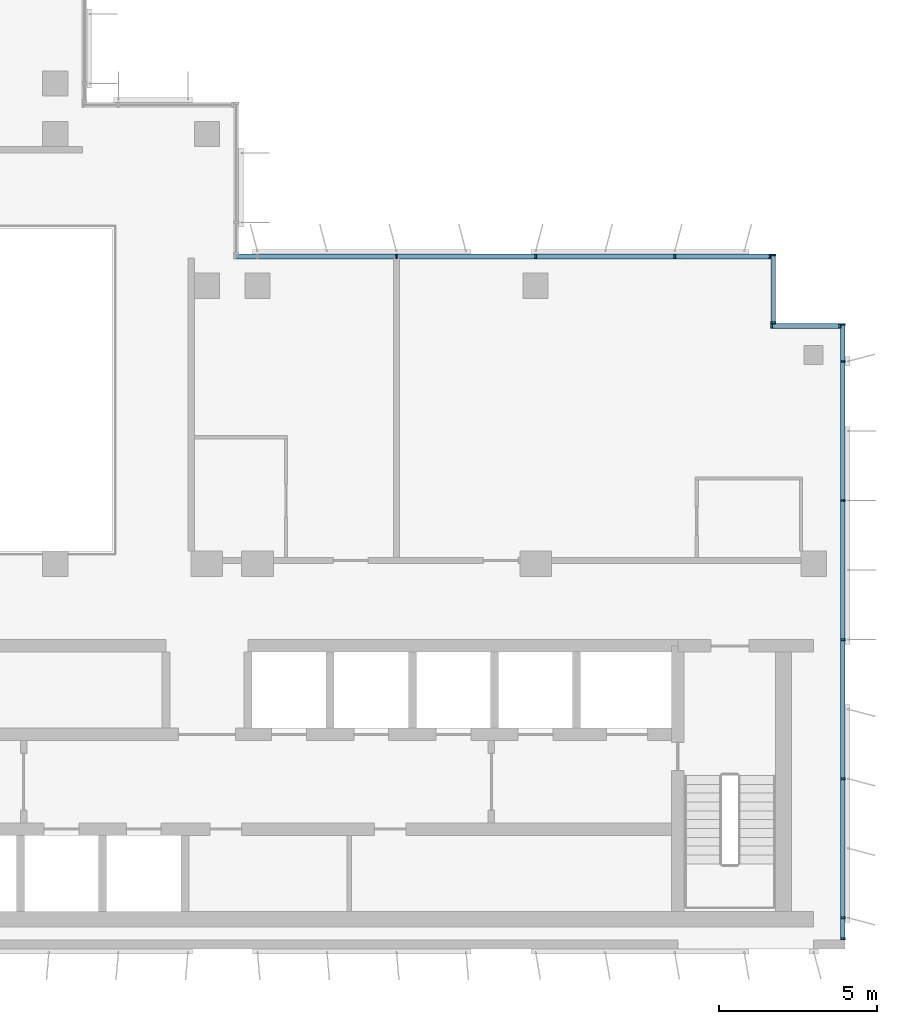
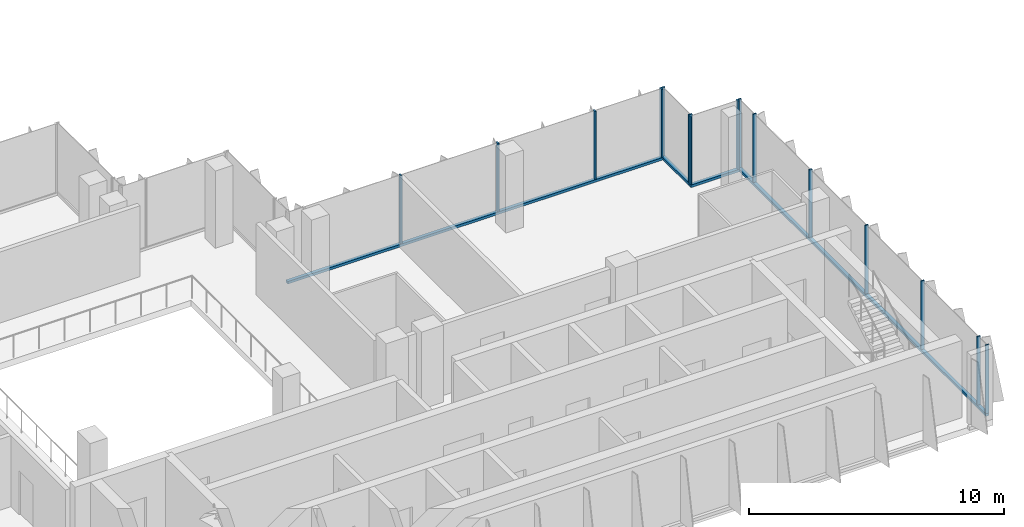
# One storey, part 3 of 14: 19 members, 4 elements without a shape of their own.
"""IFC4 building model written with IfcOpenShell, lengths in metres."""

import ifcopenshell
import ifcopenshell.guid

model = None  # the IFC model being written
_history = None  # IfcOwnerHistory: only IFC2X3 demands one
_inside = {}  # id of a spatial element -> (the spatial element, [elements in it])
_under = {}  # id of a project, library or spatial element -> (it, [spatial elements below it])
_declared = {}  # id of a project -> (the project, [libraries it declares])
_typed = {}  # id of a type object -> (the type object, [elements of that type])
_made_of = {}  # id of a material, layer set ... -> (it, [elements and type objects made of it])


def new_model(schema):
    """Start an empty IFC model of exactly this schema.

    Asked for "IFC4X3", IfcOpenShell would pick the latest addendum, in which some entities
    have other attributes; the version numbers below select the first issue.
    IFC2X3 requires an IfcOwnerHistory on every rooted entity: one is made here for all.
    """
    global model, _history
    if schema == "IFC4X3":
        model = ifcopenshell.file(schema_version=(4, 3, 0, 0))
    else:
        model = ifcopenshell.file(schema=schema)
    _inside.clear()
    _under.clear()
    _declared.clear()
    _typed.clear()
    _made_of.clear()
    _history = None
    if model.schema == "IFC2X3":
        org = make("IfcOrganization", Name="unknown")
        user = make(
            "IfcPersonAndOrganization",
            ThePerson=make("IfcPerson", FamilyName="unknown"),
            TheOrganization=org,
        )
        app = make(
            "IfcApplication",
            ApplicationDeveloper=org,
            Version="unknown",
            ApplicationFullName="unknown",
            ApplicationIdentifier="unknown",
        )
        _history = make(
            "IfcOwnerHistory",
            OwningUser=user,
            OwningApplication=app,
            ChangeAction="ADDED",
            CreationDate=0,
        )
    return model


def make(cls, **values):
    """One entity of the class cls with the attributes given. An attribute that is None is left unset."""
    return model.create_entity(
        cls, **{name: value for name, value in values.items() if value is not None}
    )


def rooted(cls, **values):
    """An entity with a GlobalId (a new one), such as an element, a storey or a relation."""
    return make(cls, GlobalId=ifcopenshell.guid.new(), OwnerHistory=_history, **values)


def si_unit(unit_type, name, prefix=None):
    """IfcSIUnit, for example si_unit("LENGTHUNIT", "METRE", prefix="MILLI")."""
    return make("IfcSIUnit", UnitType=unit_type, Prefix=prefix, Name=name)


def assignment(units):
    """IfcUnitAssignment: the units of a project."""
    return None if units is None else make("IfcUnitAssignment", Units=units)


def point(xyz):
    """IfcCartesianPoint."""
    return None if xyz is None else make("IfcCartesianPoint", Coordinates=xyz)


def direction(xyz):
    """IfcDirection."""
    return None if xyz is None else make("IfcDirection", DirectionRatios=xyz)


def frame(location, z_axis=None, x_axis=None):
    """IfcAxis2Placement3D, a coordinate frame: its origin and axes. An axis left out is left unset."""
    return make(
        "IfcAxis2Placement3D",
        Location=point(location),
        Axis=direction(z_axis),
        RefDirection=direction(x_axis),
    )


def frame_2d(location, x_axis=None):
    """IfcAxis2Placement2D, a coordinate frame in the plane: its origin and x axis."""
    return make(
        "IfcAxis2Placement2D", Location=point(location), RefDirection=direction(x_axis)
    )


def origin():
    """The frame at (0, 0, 0) with its axes left unset."""
    return frame((0.0, 0.0, 0.0))


def origin_2d():
    """The frame at (0, 0) in the plane with its x axis left unset."""
    return frame_2d((0.0, 0.0))


def place(relative_to, where):
    """IfcLocalPlacement: puts the frame where relative to a parent placement (None: the world)."""
    return make(
        "IfcLocalPlacement", PlacementRelTo=relative_to, RelativePlacement=where
    )


def context(
    kind, dimensions, precision=None, world=None, true_north=None, identifier=None
):
    """IfcGeometricRepresentationContext, for example the 3D "Model" context."""
    return make(
        "IfcGeometricRepresentationContext",
        ContextIdentifier=identifier,
        ContextType=kind,
        CoordinateSpaceDimension=dimensions,
        Precision=precision,
        WorldCoordinateSystem=world,
        TrueNorth=true_north,
    )


def subcontext(parent, identifier, kind, view, scale=None):
    """IfcGeometricRepresentationSubContext, for example "Body" below "Model"."""
    return make(
        "IfcGeometricRepresentationSubContext",
        ContextIdentifier=identifier,
        ContextType=kind,
        ParentContext=parent,
        TargetScale=scale,
        TargetView=view,
    )


def project(units=None, contexts=None):
    """IfcProject with its units and contexts."""
    return rooted(
        "IfcProject",
        Name="project",
        RepresentationContexts=contexts,
        UnitsInContext=assignment(units),
    )


def spatial(cls, under=None, at=None, **own):
    """A site, building, storey or space (cls), placed at a placement, below another one or the project."""
    s = rooted(cls, ObjectPlacement=at, **own)
    if under is not None:
        _under.setdefault(under.id(), (under, []))[1].append(s)
    return s


def profile(cls, at=None, kind="AREA", **sizes):
    """A parametric profile (cls). Its sizes go by their IFC names, for example OverallWidth=200.0."""
    return make(cls, ProfileType=kind, Position=at, **sizes)


def rectangle(**sizes):
    """IfcRectangleProfileDef."""
    return profile("IfcRectangleProfileDef", **sizes)


def extrude(swept, where, along, depth):
    """IfcExtrudedAreaSolid: the profile swept, set in the frame where, extruded along a direction by depth."""
    return make(
        "IfcExtrudedAreaSolid",
        SweptArea=swept,
        Position=where,
        ExtrudedDirection=direction(along),
        Depth=depth,
    )


def shape(context_of_items, identifier, shape_type, items):
    """IfcShapeRepresentation: the items that make up one representation, for example the "Body"."""
    return make(
        "IfcShapeRepresentation",
        ContextOfItems=context_of_items,
        RepresentationIdentifier=identifier,
        RepresentationType=shape_type,
        Items=items,
    )


def source(mapping_origin, context_of_items, identifier, shape_type, items):
    """IfcRepresentationMap: a shape defined once, which mapped items show again and again."""
    return make(
        "IfcRepresentationMap",
        MappingOrigin=mapping_origin,
        MappedRepresentation=shape(context_of_items, identifier, shape_type, items),
    )


def transform(
    local_origin,
    x_axis=None,
    y_axis=None,
    z_axis=None,
    scale=None,
    scale2=None,
    scale3=None,
    uniform=True,
):
    """IfcCartesianTransformationOperator3D, or its non-uniform kind. x_axis, y_axis, z_axis: its Axis1, 2, 3."""
    if uniform:
        return make(
            "IfcCartesianTransformationOperator3D",
            Axis1=direction(x_axis),
            Axis2=direction(y_axis),
            LocalOrigin=point(local_origin),
            Scale=scale,
            Axis3=direction(z_axis),
        )
    return make(
        "IfcCartesianTransformationOperator3DnonUniform",
        Axis1=direction(x_axis),
        Axis2=direction(y_axis),
        LocalOrigin=point(local_origin),
        Scale=scale,
        Axis3=direction(z_axis),
        Scale2=scale2,
        Scale3=scale3,
    )


def mapped(mapping_source, mapping_target):
    """IfcMappedItem: shows the shape of a source again, moved by a transform."""
    return make(
        "IfcMappedItem", MappingSource=mapping_source, MappingTarget=mapping_target
    )


def material(Name=None, Category=None):
    """IfcMaterial."""
    return make("IfcMaterial", Name=Name, Category=Category)


def material_profile(
    of_material, cross_section, Name=None, Category=None, Priority=None
):
    """IfcMaterialProfile: a cross section and its material."""
    return make(
        "IfcMaterialProfile",
        Name=Name,
        Material=of_material,
        Profile=cross_section,
        Priority=Priority,
        Category=Category,
    )


def profile_set(profiles, Name=None, composite=None):
    """IfcMaterialProfileSet."""
    return make(
        "IfcMaterialProfileSet",
        Name=Name,
        MaterialProfiles=profiles,
        CompositeProfile=composite,
    )


def made_of(thing, what):
    """Note that an element or type object is made of a material, layer set ...; save() writes the relation."""
    if what is not None:
        _made_of.setdefault(what.id(), (what, []))[1].append(thing)
    return thing


def type_object(cls, material=None, **own):
    """A type object (cls), such as IfcWallType, which elements share."""
    return made_of(rooted(cls, **own), material)


def element(
    cls,
    number,
    at=None,
    inside=None,
    cuts=None,
    type_object=None,
    material=None,
    context=None,
    identifier="Body",
    shape_type=None,
    held_by="IfcProductDefinitionShape",
    body=None,
    shapes=None,
    **own,
):
    """One element of the class cls, such as IfcWall. Its Tag is "e" and its number.

    at: its placement. inside: the storey or other place that contains it. cuts: it is an
    opening in that element (IfcRelVoidsElement). A single representation is given by context,
    identifier, shape_type and body (its items); several are given by shapes. held_by: the class
    of the entity that holds the representations. save() writes the other relations.
    """
    e = rooted(cls, Tag="e%d" % number, ObjectPlacement=at, **own)
    if body is not None:
        shapes = [shape(context, identifier, shape_type, body)]
    if shapes is not None:
        e.Representation = make(held_by, Representations=shapes)
    if inside is not None:
        _inside.setdefault(inside.id(), (inside, []))[1].append(e)
    if cuts is not None:
        rooted(
            "IfcRelVoidsElement", RelatingBuildingElement=cuts, RelatedOpeningElement=e
        )
    if type_object is not None:
        _typed.setdefault(type_object.id(), (type_object, []))[1].append(e)
    return made_of(e, material)


def aggregate(whole, parts):
    """IfcRelAggregates: a whole, such as a stair, and the parts it consists of."""
    return rooted("IfcRelAggregates", RelatingObject=whole, RelatedObjects=parts)


def save(model, path):
    """Write the relations noted so far, then the file.

    IfcRelAggregates (storeys below a building ...), IfcRelContainedInSpatialStructure (elements
    in a storey), IfcRelDefinesByType, IfcRelAssociatesMaterial and IfcRelDeclares: one each for
    every whole, place, type object, material and project.
    """
    for whole, parts in _under.values():
        aggregate(whole, parts)
    for where, things in _inside.values():
        rooted(
            "IfcRelContainedInSpatialStructure",
            RelatedElements=things,
            RelatingStructure=where,
        )
    for kind, things in _typed.values():
        rooted("IfcRelDefinesByType", RelatedObjects=things, RelatingType=kind)
    for what, things in _made_of.values():
        rooted("IfcRelAssociatesMaterial", RelatedObjects=things, RelatingMaterial=what)
    for by, libraries in _declared.values():
        rooted("IfcRelDeclares", RelatingContext=by, RelatedDefinitions=libraries)
    model.write(path)


model = new_model("IFC4")

# Units and contexts
model_context = context("Model", 3, precision=1e-05, world=origin(), true_north=direction((0.0, 1.0)))
body_context = subcontext(model_context, "Body", "Model", "MODEL_VIEW")
ifc_project = project(units=[si_unit("LENGTHUNIT", "METRE"), si_unit("AREAUNIT", "SQUARE_METRE"), si_unit("VOLUMEUNIT", "CUBIC_METRE"), si_unit("PLANEANGLEUNIT", "RADIAN"), si_unit("MASSUNIT", "GRAM", prefix="KILO")], contexts=[model_context])

# Site, building, storey
site_placement = place(None, origin())
site = spatial("IfcSite", under=ifc_project, at=site_placement, CompositionType="ELEMENT")
building_placement = place(site_placement, origin())
building = spatial("IfcBuilding", under=site, at=building_placement, Name="Kemantara Hotel Tower", CompositionType="ELEMENT")
storey_placement = place(building_placement, frame((0.0, 0.0, 248.699951171875)))
storey = spatial("IfcBuildingStorey", under=building, at=storey_placement, Name="L62", CompositionType="ELEMENT", Elevation=248.699951171875)

# Curtain wall, member
ifc_material_1 = material(Name="Low-E tinted double insulated glass 36 mm", Category="glass")
curtain_wall_type = type_object("IfcCurtainWallType", Name="TOWER CURTAIN WALL, FRONT FACES", PredefinedType="USERDEFINED", material=ifc_material_1)
curtain_wall_1_placement = place(storey_placement, origin())
curtain_wall_1 = element("IfcCurtainWall", 1, at=curtain_wall_1_placement, inside=storey, type_object=curtain_wall_type, Name="CW4 L62 T4P-R06-1", ObjectType="TOWER CURTAIN WALL, FRONT FACES", PredefinedType="USERDEFINED")
ifc_material_2 = material(Name="Aluminium 6063-T6 bronze anodised", Category="aluminium")
ifc_material_profile_1 = material_profile(ifc_material_2, rectangle(XDim=0.14990234375, YDim=0.1201171875, at=origin_2d()), Name="TOWER CURTAIN WALL, FRONT FACES TRANSOM")
ifc_profile_set_1 = profile_set([ifc_material_profile_1], Name="Aluminium 6063-T6 bronze anodised")
member_type_1 = type_object("IfcMemberType", Name="TOWER CURTAIN WALL, FRONT FACES TRANSOM", PredefinedType="USERDEFINED", material=ifc_profile_set_1)
member_1_placement = place(storey_placement, frame((45.925048828125, 0.300048828125, 0.06005859375), z_axis=(0.0, 1.0, 0.0), x_axis=(-1.0, 0.0, 0.0)))
member_1 = element("IfcMember", 2, at=member_1_placement, type_object=member_type_1, Name="CW4 sill transom T4P-R06-1", ObjectType="TRANSOM", PredefinedType="USERDEFINED", context=body_context, shape_type="SweptSolid", body=[
    extrude(rectangle(XDim=0.14990234375, YDim=0.1201171875, at=origin_2d()), origin(), (0.0, 0.0, 1.0), 19.5),
])

curtain_wall_2_placement = place(storey_placement, origin())
curtain_wall_2 = element("IfcCurtainWall", 3, at=curtain_wall_2_placement, inside=storey, type_object=curtain_wall_type, Name="CW4 L62 T4P-R09-1", ObjectType="TOWER CURTAIN WALL, FRONT FACES", PredefinedType="USERDEFINED")
member_2_placement = place(storey_placement, frame((43.64990234375, 21.925048828125, 0.06005859375), z_axis=(-1.0, 0.0, 0.0), x_axis=(0.0, -1.0, 0.0)))
member_2 = element("IfcMember", 4, at=member_2_placement, type_object=member_type_1, Name="CW4 sill transom T4P-R09-1", ObjectType="TRANSOM", PredefinedType="USERDEFINED", context=body_context, shape_type="SweptSolid", body=[
    extrude(rectangle(XDim=0.14990234375, YDim=0.1201171875, at=origin_2d()), origin(), (0.0, 0.0, 1.0), 17.0),
])

curtain_wall_3_placement = place(storey_placement, origin())
curtain_wall_3 = element("IfcCurtainWall", 5, at=curtain_wall_3_placement, inside=storey, type_object=curtain_wall_type, Name="CW4 L62 T4P-R07-1", ObjectType="TOWER CURTAIN WALL, FRONT FACES", PredefinedType="USERDEFINED")
member_3_placement = place(storey_placement, frame((45.85009765625, 19.72509765625, 0.06005859375), z_axis=(-1.0, 0.0, 0.0), x_axis=(0.0, -1.0, 0.0)))
member_3 = element("IfcMember", 6, at=member_3_placement, type_object=member_type_1, Name="CW4 sill transom T4P-R07-1", ObjectType="TRANSOM", PredefinedType="USERDEFINED", context=body_context, shape_type="SweptSolid", body=[
    extrude(rectangle(XDim=0.14990234375, YDim=0.1201171875, at=origin_2d()), origin(), (0.0, 0.0, 1.0), 2.2001953125),
])

curtain_wall_4_placement = place(storey_placement, origin())
curtain_wall_4 = element("IfcCurtainWall", 7, at=curtain_wall_4_placement, inside=storey, type_object=curtain_wall_type, Name="CW4 L62 T4P-R08-1", ObjectType="TOWER CURTAIN WALL, FRONT FACES", PredefinedType="USERDEFINED")
member_4_placement = place(storey_placement, frame((43.72509765625, 19.800048828125, 0.06005859375), z_axis=(0.0, 1.0, 0.0), x_axis=(-1.0, 0.0, 0.0)))
member_4 = element("IfcMember", 8, at=member_4_placement, type_object=member_type_1, Name="CW4 sill transom T4P-R08-1", ObjectType="TRANSOM", PredefinedType="USERDEFINED", context=body_context, shape_type="SweptSolid", body=[
    extrude(rectangle(XDim=0.14990234375, YDim=0.1201171875, at=origin_2d()), origin(), (0.0, 0.0, 1.0), 2.199951171875),
])

# Member
ifc_material_profile_2 = material_profile(ifc_material_2, rectangle(XDim=0.14990234375, YDim=0.06005859375, at=origin_2d()), Name="TOWER CURTAIN WALL, FRONT FACES MULLION")
ifc_profile_set_2 = profile_set([ifc_material_profile_2], Name="Aluminium 6063-T6 bronze anodised")
member_type_2 = type_object("IfcMemberType", Name="TOWER CURTAIN WALL, FRONT FACES MULLION", PredefinedType="MULLION", material=ifc_profile_set_2)
shared_shape = source(origin(), body_context, "Body", "SweptSolid", [
    extrude(rectangle(XDim=0.14990234375, YDim=0.06005859375, at=origin_2d()), origin(), (0.0, 0.0, 1.0), 3.280029296875),
])
member_5_placement = place(storey_placement, frame((45.925048828125, 0.330078125, 0.1201171875), z_axis=(0.0, 0.0, 1.0), x_axis=(-1.0, 0.0, 0.0)))
member_5 = element("IfcMember", 9, at=member_5_placement, type_object=member_type_2, Name="CW4 mullion T4P-R06-1.1", PredefinedType="MULLION", context=body_context, shape_type="MappedRepresentation", body=[
    mapped(shared_shape, transform((0.0, 0.0, 0.0))),
])

member_6_placement = place(storey_placement, frame((45.925048828125, 1.0, 0.1201171875), z_axis=(0.0, 0.0, 1.0), x_axis=(-1.0, 0.0, 0.0)))
member_6 = element("IfcMember", 10, at=member_6_placement, type_object=member_type_2, Name="CW4 mullion T4P-R06-1.2", PredefinedType="MULLION", context=body_context, shape_type="MappedRepresentation", body=[
    mapped(shared_shape, transform((0.0, 0.0, 0.0))),
])

member_7_placement = place(storey_placement, frame((45.925048828125, 5.39990234375, 0.1201171875), z_axis=(0.0, 0.0, 1.0), x_axis=(-1.0, 0.0, 0.0)))
member_7 = element("IfcMember", 11, at=member_7_placement, type_object=member_type_2, Name="CW4 mullion T4P-R06-1.3", PredefinedType="MULLION", context=body_context, shape_type="MappedRepresentation", body=[
    mapped(shared_shape, transform((0.0, 0.0, 0.0))),
])

member_8_placement = place(storey_placement, frame((45.925048828125, 9.800048828125, 0.1201171875), z_axis=(0.0, 0.0, 1.0), x_axis=(-1.0, 0.0, 0.0)))
member_8 = element("IfcMember", 12, at=member_8_placement, type_object=member_type_2, Name="CW4 mullion T4P-R06-1.4", PredefinedType="MULLION", context=body_context, shape_type="MappedRepresentation", body=[
    mapped(shared_shape, transform((0.0, 0.0, 0.0))),
])

member_9_placement = place(storey_placement, frame((45.925048828125, 14.199951171875, 0.1201171875), z_axis=(0.0, 0.0, 1.0), x_axis=(-1.0, 0.0, 0.0)))
member_9 = element("IfcMember", 13, at=member_9_placement, type_object=member_type_2, Name="CW4 mullion T4P-R06-1.5", PredefinedType="MULLION", context=body_context, shape_type="MappedRepresentation", body=[
    mapped(shared_shape, transform((0.0, 0.0, 0.0))),
])

member_10_placement = place(storey_placement, frame((45.925048828125, 18.60009765625, 0.1201171875), z_axis=(0.0, 0.0, 1.0), x_axis=(-1.0, 0.0, 0.0)))
member_10 = element("IfcMember", 14, at=member_10_placement, type_object=member_type_2, Name="CW4 mullion T4P-R06-1.6", PredefinedType="MULLION", context=body_context, shape_type="MappedRepresentation", body=[
    mapped(shared_shape, transform((0.0, 0.0, 0.0))),
])

member_11_placement = place(storey_placement, frame((45.925048828125, 19.77001953125, 0.1201171875), z_axis=(0.0, 0.0, 1.0), x_axis=(-1.0, 0.0, 0.0)))
member_11 = element("IfcMember", 15, at=member_11_placement, type_object=member_type_2, Name="CW4 mullion T4P-R06-1.7", PredefinedType="MULLION", context=body_context, shape_type="MappedRepresentation", body=[
    mapped(shared_shape, transform((0.0, 0.0, 0.0))),
])

aggregate(curtain_wall_1, [member_1, member_5, member_6, member_7, member_8, member_9, member_10, member_11])

member_12_placement = place(storey_placement, frame((43.6201171875, 21.925048828125, 0.1201171875), z_axis=(0.0, 0.0, 1.0), x_axis=(0.0, -1.0, 0.0)))
member_12 = element("IfcMember", 16, at=member_12_placement, type_object=member_type_2, Name="CW4 mullion T4P-R09-1.1", PredefinedType="MULLION", context=body_context, shape_type="MappedRepresentation", body=[
    mapped(shared_shape, transform((0.0, 0.0, 0.0))),
])

member_13_placement = place(storey_placement, frame((40.60009765625, 21.925048828125, 0.1201171875), z_axis=(0.0, 0.0, 1.0), x_axis=(0.0, -1.0, 0.0)))
member_13 = element("IfcMember", 17, at=member_13_placement, type_object=member_type_2, Name="CW4 mullion T4P-R09-1.2", PredefinedType="MULLION", context=body_context, shape_type="MappedRepresentation", body=[
    mapped(shared_shape, transform((0.0, 0.0, 0.0))),
])

member_14_placement = place(storey_placement, frame((36.199951171875, 21.925048828125, 0.1201171875), z_axis=(0.0, 0.0, 1.0), x_axis=(0.0, -1.0, 0.0)))
member_14 = element("IfcMember", 18, at=member_14_placement, type_object=member_type_2, Name="CW4 mullion T4P-R09-1.3", PredefinedType="MULLION", context=body_context, shape_type="MappedRepresentation", body=[
    mapped(shared_shape, transform((0.0, 0.0, 0.0))),
])

member_15_placement = place(storey_placement, frame((31.800048828125, 21.925048828125, 0.1201171875), z_axis=(0.0, 0.0, 1.0), x_axis=(0.0, -1.0, 0.0)))
member_15 = element("IfcMember", 19, at=member_15_placement, type_object=member_type_2, Name="CW4 mullion T4P-R09-1.4", PredefinedType="MULLION", context=body_context, shape_type="MappedRepresentation", body=[
    mapped(shared_shape, transform((0.0, 0.0, 0.0))),
])

aggregate(curtain_wall_2, [member_2, member_12, member_13, member_14, member_15])

member_16_placement = place(storey_placement, frame((45.820068359375, 19.72509765625, 0.1201171875), z_axis=(0.0, 0.0, 1.0), x_axis=(0.0, -1.0, 0.0)))
member_16 = element("IfcMember", 20, at=member_16_placement, type_object=member_type_2, Name="CW4 mullion T4P-R07-1.1", PredefinedType="MULLION", context=body_context, shape_type="MappedRepresentation", body=[
    mapped(shared_shape, transform((0.0, 0.0, 0.0))),
])

member_17_placement = place(storey_placement, frame((43.679931640625, 19.72509765625, 0.1201171875), z_axis=(0.0, 0.0, 1.0), x_axis=(0.0, -1.0, 0.0)))
member_17 = element("IfcMember", 21, at=member_17_placement, type_object=member_type_2, Name="CW4 mullion T4P-R07-1.2", PredefinedType="MULLION", context=body_context, shape_type="MappedRepresentation", body=[
    mapped(shared_shape, transform((0.0, 0.0, 0.0))),
])

aggregate(curtain_wall_3, [member_3, member_16, member_17])

member_18_placement = place(storey_placement, frame((43.72509765625, 19.830078125, 0.1201171875), z_axis=(0.0, 0.0, 1.0), x_axis=(-1.0, 0.0, 0.0)))
member_18 = element("IfcMember", 22, at=member_18_placement, type_object=member_type_2, Name="CW4 mullion T4P-R08-1.1", PredefinedType="MULLION", context=body_context, shape_type="MappedRepresentation", body=[
    mapped(shared_shape, transform((0.0, 0.0, 0.0))),
])

member_19_placement = place(storey_placement, frame((43.72509765625, 21.969970703125, 0.1201171875), z_axis=(0.0, 0.0, 1.0), x_axis=(-1.0, 0.0, 0.0)))
member_19 = element("IfcMember", 23, at=member_19_placement, type_object=member_type_2, Name="CW4 mullion T4P-R08-1.2", PredefinedType="MULLION", context=body_context, shape_type="MappedRepresentation", body=[
    mapped(shared_shape, transform((0.0, 0.0, 0.0))),
])

aggregate(curtain_wall_4, [member_4, member_18, member_19])

save(model, "model.ifc")
